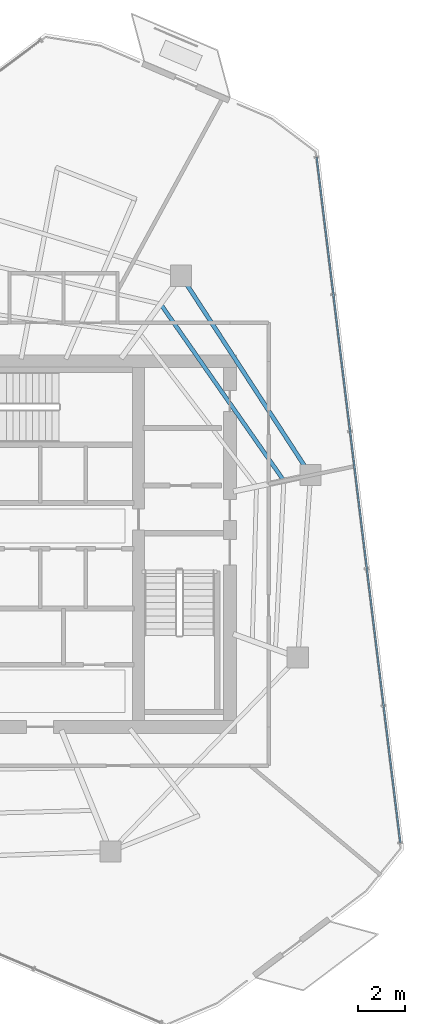
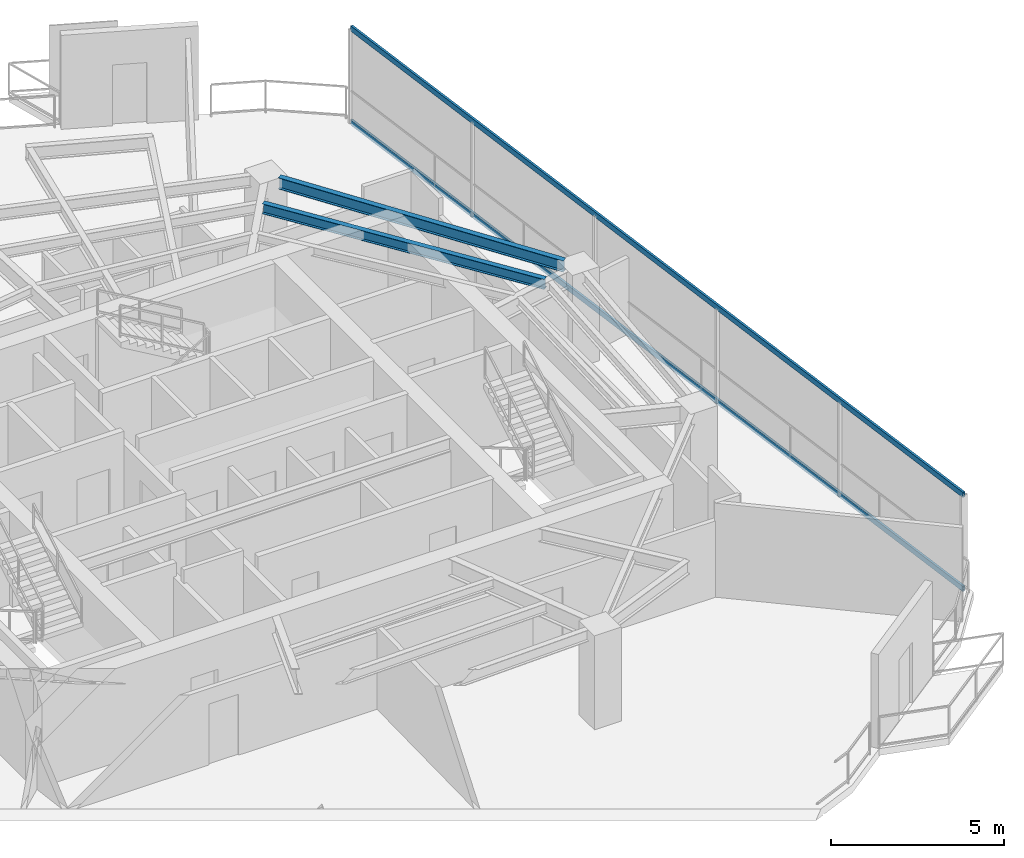
# One storey, part 8 of 18: 2 beams, 2 members, 1 element without a shape of its own.
"""IFC4 building model written with IfcOpenShell, lengths in metres."""

from ifc_helpers import new_model, si_unit, direction, frame, origin, origin_2d, place, context, subcontext, project, spatial, hollow_rectangle, i_section, extrude, material, layer, layer_set, material_profile, profile_set, type_object, element, aggregate, save


model = new_model("IFC4")

# Units and contexts
model_context = context("Model", 3, precision=1e-05, world=origin(), true_north=direction((0.0, 1.0)))
body_context = subcontext(model_context, "Body", "Model", "MODEL_VIEW")
ifc_project = project(units=[si_unit("LENGTHUNIT", "METRE"), si_unit("AREAUNIT", "SQUARE_METRE"), si_unit("VOLUMEUNIT", "CUBIC_METRE"), si_unit("PLANEANGLEUNIT", "RADIAN"), si_unit("MASSUNIT", "GRAM", prefix="KILO")], contexts=[model_context])

# Site, building, storey
site_placement = place(None, origin())
site = spatial("IfcSite", under=ifc_project, at=site_placement, CompositionType="ELEMENT")
building_placement = place(site_placement, origin())
building = spatial("IfcBuilding", under=site, at=building_placement, Name="Qarnah Convention Tower", CompositionType="ELEMENT")
storey_placement = place(building_placement, frame((0.0, 0.0, 205.800048828125)))
storey = spatial("IfcBuildingStorey", under=building, at=storey_placement, Name="L55", CompositionType="ELEMENT", Elevation=205.800048828125)

# Beams
ifc_material_1 = material(Name="Structural steel S355JR", Category="steel")
ifc_material_profile_1 = material_profile(ifc_material_1, i_section(OverallWidth=0.172119140625, OverallDepth=0.35595703125, WebThickness=0.007080078125, FlangeThickness=0.011962890625, at=origin_2d()), Name="W360X51")
ifc_profile_set_1 = profile_set([ifc_material_profile_1], Name="Structural steel S355JR")
beam_type_1 = type_object("IfcBeamType", Name="BM-JST-W360", PredefinedType="JOIST", material=ifc_profile_set_1)
beam_1_placement = place(storey_placement, frame((49.85400390625, 29.175048828125, 3.141845703125), z_axis=(-0.572298893937, 0.820045106076, 0.0), x_axis=(-0.820045106076, -0.572298893937, 0.0)))
element("IfcBeam", 1, at=beam_1_placement, inside=storey, type_object=beam_type_1, Name="L55 joist BM-L55-SJST-01", PredefinedType="JOIST", context=body_context, shape_type="SweptSolid", body=[
    extrude(i_section(OverallWidth=0.172119140625, OverallDepth=0.35595703125, WebThickness=0.007080078125, FlangeThickness=0.011962890625, at=origin_2d()), origin(), (0.0, 0.0, 1.0), 9.017822265625),
])
ifc_material_profile_2 = material_profile(ifc_material_1, i_section(OverallWidth=0.179931640625, OverallDepth=0.39990234375, WebThickness=0.009033203125, FlangeThickness=0.013916015625, at=origin_2d()), Name="IPE400")
ifc_profile_set_2 = profile_set([ifc_material_profile_2], Name="Structural steel S355JR")
beam_type_2 = type_object("IfcBeamType", Name="BM-SPN-IPE400", PredefinedType="SPANDREL", material=ifc_profile_set_2)
beam_2_placement = place(storey_placement, frame((50.801025390625, 29.7109375, 3.119873046875), z_axis=(-0.544586178954, 0.838704890705, 0.0), x_axis=(-0.838704890705, -0.544586178954, 0.0)))
element("IfcBeam", 2, at=beam_2_placement, inside=storey, type_object=beam_type_2, Name="L55 spandrel BM-L55-SPN-01", PredefinedType="SPANDREL", context=body_context, shape_type="SweptSolid", body=[
    extrude(i_section(OverallWidth=0.179931640625, OverallDepth=0.39990234375, WebThickness=0.009033203125, FlangeThickness=0.013916015625, at=origin_2d()), origin(), (0.0, 0.0, 1.0), 9.261962890625),
])

# Curtain wall, members
ifc_material_2 = material(Name="Tempered Low-E dark glass", Category="glass")
ifc_layer = layer(ifc_material_2, 0.174072265625)
ifc_layer_set = layer_set([ifc_layer], Name="Tempered Low-E dark glass")
curtain_wall_type = type_object("IfcCurtainWallType", Name="CWS-04", PredefinedType="NOTDEFINED", material=ifc_layer_set)
curtain_wall_placement = place(storey_placement, origin())
curtain_wall = element("IfcCurtainWall", 3, at=curtain_wall_placement, inside=storey, type_object=curtain_wall_type, Name="L55 unitised curtain wall CW-L55-F3", PredefinedType="NOTDEFINED")
ifc_material_3 = material(Name="Black anodised aluminium", Category="aluminium")
ifc_material_profile_3 = material_profile(ifc_material_3, hollow_rectangle(XDim=0.074951171875, YDim=0.18994140625, WallThickness=0.0048828125, at=origin_2d()), Name="TRN-75X190")
ifc_profile_set_3 = profile_set([ifc_material_profile_3], Name="Black anodised aluminium")
member_type = type_object("IfcMemberType", Name="TRN-T4", PredefinedType="USERDEFINED", material=ifc_profile_set_3)
member_1_placement = place(storey_placement, frame((51.302001953125, 42.905029296875, 0.0), z_axis=(0.121219838401, -0.992625685129, 0.0), x_axis=(0.992625685129, 0.121219838401, 0.0)))
member_1 = element("IfcMember", 4, at=member_1_placement, type_object=member_type, Name="CW-L55-F3 transom 1", ObjectType="TRANSOM", PredefinedType="USERDEFINED", context=body_context, shape_type="SweptSolid", body=[
    extrude(hollow_rectangle(XDim=0.074951171875, YDim=0.18994140625, WallThickness=0.0048828125, at=origin_2d()), origin(), (0.0, 0.0, 1.0), 29.46728515625),
])
member_2_placement = place(storey_placement, frame((51.302001953125, 42.905029296875, 3.320068359375), z_axis=(0.121219838401, -0.992625685129, 0.0), x_axis=(0.992625685129, 0.121219838401, 0.0)))
member_2 = element("IfcMember", 5, at=member_2_placement, type_object=member_type, Name="CW-L55-F3 transom 2", ObjectType="TRANSOM", PredefinedType="USERDEFINED", context=body_context, shape_type="SweptSolid", body=[
    extrude(hollow_rectangle(XDim=0.074951171875, YDim=0.18994140625, WallThickness=0.0048828125, at=origin_2d()), origin(), (0.0, 0.0, 1.0), 29.46728515625),
])
aggregate(curtain_wall, [member_1, member_2])

save(model, "model.ifc")
